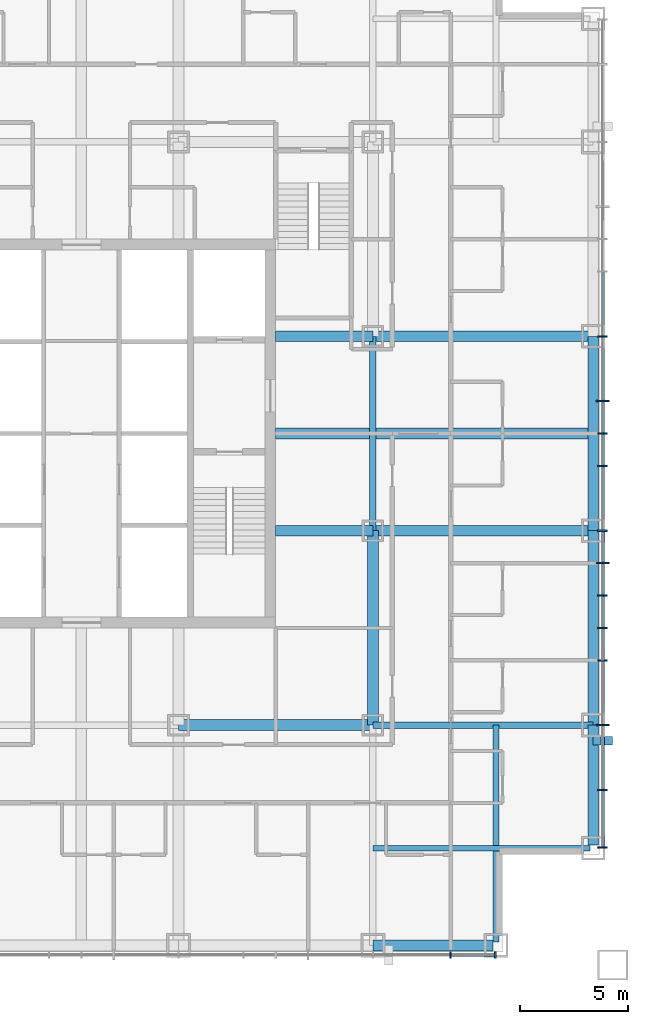
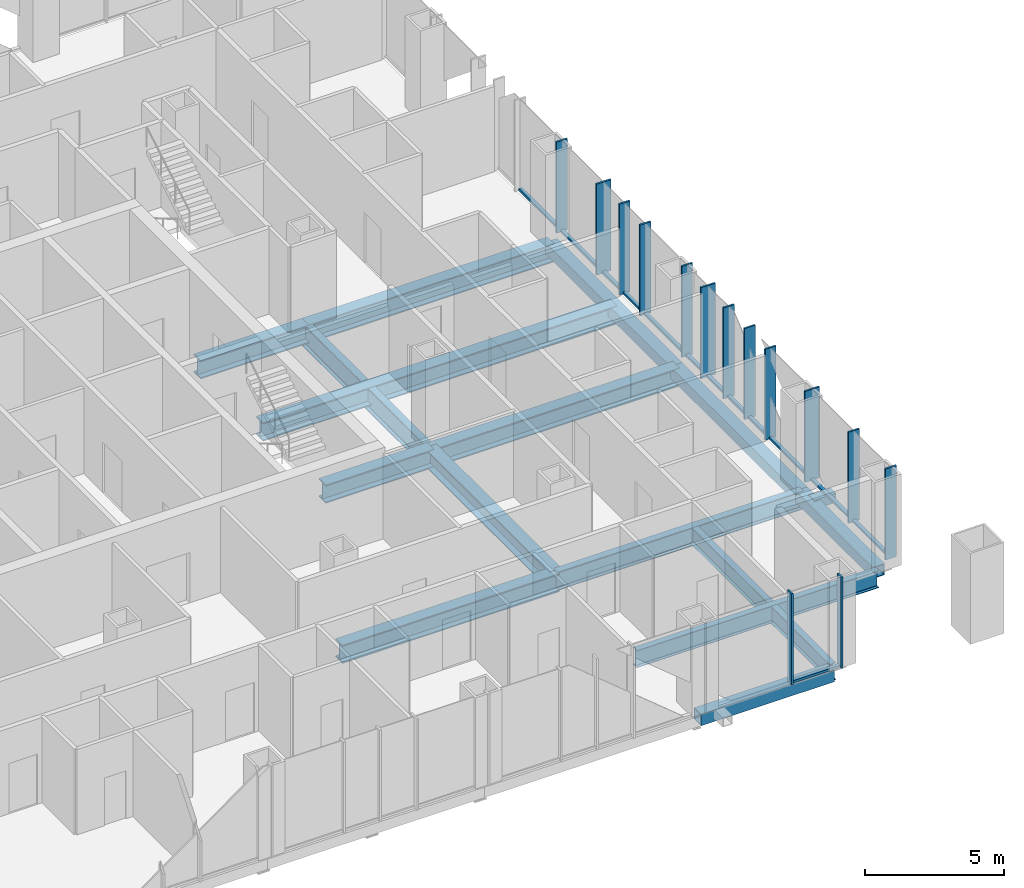
# One storey, part 4 of 16: 28 members, 15 beams, 2 elements without a shape of their own.
"""IFC4 building model written with IfcOpenShell, lengths in metres."""

from ifc_helpers import new_model, si_unit, direction, frame, origin, origin_2d, place, context, subcontext, project, spatial, rectangle, hollow_rectangle, i_section, extrude, material, layer, layer_set, material_profile, profile_set, type_object, element, aggregate, save


model = new_model("IFC4")

# Units and contexts
model_context = context("Model", 3, precision=1e-05, world=origin(), true_north=direction((0.0, 1.0)))
body_context = subcontext(model_context, "Body", "Model", "MODEL_VIEW")
ifc_project = project(units=[si_unit("LENGTHUNIT", "METRE"), si_unit("AREAUNIT", "SQUARE_METRE"), si_unit("VOLUMEUNIT", "CUBIC_METRE"), si_unit("PLANEANGLEUNIT", "RADIAN"), si_unit("MASSUNIT", "GRAM", prefix="KILO")], contexts=[model_context])

# Site, building, storey
site_placement = place(None, origin())
site = spatial("IfcSite", under=ifc_project, at=site_placement, CompositionType="ELEMENT")
building_placement = place(site_placement, origin())
building = spatial("IfcBuilding", under=site, at=building_placement, Name="Malebo Sky Hospital", CompositionType="ELEMENT")
storey_placement = place(building_placement, frame((0.0, 0.0, 108.0)))
storey = spatial("IfcBuildingStorey", under=building, at=storey_placement, Name="L25", CompositionType="ELEMENT", Elevation=108.0)

# Curtain wall, member
ifc_material_1 = material(Name="Anodised aluminium, natural silver", Category="aluminium")
ifc_layer_1 = layer(ifc_material_1, 0.25)
ifc_layer_set_1 = layer_set([ifc_layer_1], Name="WARD CURTAIN WALL NORTH AND SOUTH")
curtain_wall_type_1 = type_object("IfcCurtainWallType", Name="WARD CURTAIN WALL NORTH AND SOUTH", PredefinedType="NOTDEFINED", material=ifc_layer_set_1)
curtain_wall_1_placement = place(storey_placement, origin())
curtain_wall_1 = element("IfcCurtainWall", 1, at=curtain_wall_1_placement, inside=storey, type_object=curtain_wall_type_1, Name="NS curtain wall S", PredefinedType="NOTDEFINED")
ifc_material_profile_1 = material_profile(ifc_material_1, rectangle(XDim=0.14990234375, YDim=0.10009765625, at=origin_2d()), Name="ALUMINIUM TRANSOM 150x100")
ifc_profile_set_1 = profile_set([ifc_material_profile_1], Name="Anodised aluminium, natural silver")
member_type_1 = type_object("IfcMemberType", Name="ALUMINIUM TRANSOM 150x100", PredefinedType="USERDEFINED", material=ifc_profile_set_1)
member_1_placement = place(storey_placement, frame((79.125, 37.864990234375, 0.050048828125), z_axis=(-1.0, 0.0, 0.0), x_axis=(0.0, -1.0, 0.0)))
member_1 = element("IfcMember", 2, at=member_1_placement, type_object=member_type_1, Name="Transom 1", ObjectType="TRANSOM", PredefinedType="USERDEFINED", context=body_context, shape_type="SweptSolid", body=[
    extrude(rectangle(XDim=0.14990234375, YDim=0.10009765625, at=origin_2d()), origin(), (0.0, 0.0, 1.0), 1.987548828125),
])

# Curtain wall, members
ifc_layer_2 = layer(ifc_material_1, 0.25)
ifc_layer_set_2 = layer_set([ifc_layer_2], Name="WARD CURTAIN WALL EAST AND WEST")
curtain_wall_type_2 = type_object("IfcCurtainWallType", Name="WARD CURTAIN WALL EAST AND WEST", PredefinedType="NOTDEFINED", material=ifc_layer_set_2)
curtain_wall_2_placement = place(storey_placement, origin())
curtain_wall_2 = element("IfcCurtainWall", 3, at=curtain_wall_2_placement, inside=storey, type_object=curtain_wall_type_2, Name="EW curtain wall E", PredefinedType="NOTDEFINED")
member_2_placement = place(storey_placement, frame((84.135009765625, 69.46240234375, 0.050048828125), z_axis=(0.0, -1.0, 0.0), x_axis=(1.0, 0.0, 0.0)))
member_2 = element("IfcMember", 4, at=member_2_placement, type_object=member_type_1, Name="Transom 6", ObjectType="TRANSOM", PredefinedType="USERDEFINED", context=body_context, shape_type="SweptSolid", body=[
    extrude(rectangle(XDim=0.14990234375, YDim=0.10009765625, at=origin_2d()), origin(), (0.0, 0.0, 1.0), 2.9248046875),
])
member_3_placement = place(storey_placement, frame((84.135009765625, 66.46240234375, 0.050048828125), z_axis=(0.0, -1.0, 0.0), x_axis=(1.0, 0.0, 0.0)))
member_3 = element("IfcMember", 5, at=member_3_placement, type_object=member_type_1, Name="Transom 7", ObjectType="TRANSOM", PredefinedType="USERDEFINED", context=body_context, shape_type="SweptSolid", body=[
    extrude(rectangle(XDim=0.14990234375, YDim=0.10009765625, at=origin_2d()), origin(), (0.0, 0.0, 1.0), 2.9248046875),
])
member_4_placement = place(storey_placement, frame((84.135009765625, 63.46240234375, 0.050048828125), z_axis=(0.0, -1.0, 0.0), x_axis=(1.0, 0.0, 0.0)))
member_4 = element("IfcMember", 6, at=member_4_placement, type_object=member_type_1, Name="Transom 8", ObjectType="TRANSOM", PredefinedType="USERDEFINED", context=body_context, shape_type="SweptSolid", body=[
    extrude(rectangle(XDim=0.14990234375, YDim=0.10009765625, at=origin_2d()), origin(), (0.0, 0.0, 1.0), 1.4248046875),
])
member_5_placement = place(storey_placement, frame((84.135009765625, 61.96240234375, 0.050048828125), z_axis=(0.0, -1.0, 0.0), x_axis=(1.0, 0.0, 0.0)))
member_5 = element("IfcMember", 7, at=member_5_placement, type_object=member_type_1, Name="Transom 9", ObjectType="TRANSOM", PredefinedType="USERDEFINED", context=body_context, shape_type="SweptSolid", body=[
    extrude(rectangle(XDim=0.14990234375, YDim=0.10009765625, at=origin_2d()), origin(), (0.0, 0.0, 1.0), 1.4248046875),
])
member_6_placement = place(storey_placement, frame((84.135009765625, 60.46240234375, 0.050048828125), z_axis=(0.0, -1.0, 0.0), x_axis=(1.0, 0.0, 0.0)))
member_6 = element("IfcMember", 8, at=member_6_placement, type_object=member_type_1, Name="Transom 10", ObjectType="TRANSOM", PredefinedType="USERDEFINED", context=body_context, shape_type="SweptSolid", body=[
    extrude(rectangle(XDim=0.14990234375, YDim=0.10009765625, at=origin_2d()), origin(), (0.0, 0.0, 1.0), 2.9248046875),
])
member_7_placement = place(storey_placement, frame((84.135009765625, 57.46240234375, 0.050048828125), z_axis=(0.0, -1.0, 0.0), x_axis=(1.0, 0.0, 0.0)))
member_7 = element("IfcMember", 9, at=member_7_placement, type_object=member_type_1, Name="Transom 11", ObjectType="TRANSOM", PredefinedType="USERDEFINED", context=body_context, shape_type="SweptSolid", body=[
    extrude(rectangle(XDim=0.14990234375, YDim=0.10009765625, at=origin_2d()), origin(), (0.0, 0.0, 1.0), 1.4248046875),
])
member_8_placement = place(storey_placement, frame((84.135009765625, 55.96240234375, 0.050048828125), z_axis=(0.0, -1.0, 0.0), x_axis=(1.0, 0.0, 0.0)))
member_8 = element("IfcMember", 10, at=member_8_placement, type_object=member_type_1, Name="Transom 12", ObjectType="TRANSOM", PredefinedType="USERDEFINED", context=body_context, shape_type="SweptSolid", body=[
    extrude(rectangle(XDim=0.14990234375, YDim=0.10009765625, at=origin_2d()), origin(), (0.0, 0.0, 1.0), 1.4248046875),
])
member_9_placement = place(storey_placement, frame((84.135009765625, 54.46240234375, 0.050048828125), z_axis=(0.0, -1.0, 0.0), x_axis=(1.0, 0.0, 0.0)))
member_9 = element("IfcMember", 11, at=member_9_placement, type_object=member_type_1, Name="Transom 13", ObjectType="TRANSOM", PredefinedType="USERDEFINED", context=body_context, shape_type="SweptSolid", body=[
    extrude(rectangle(XDim=0.14990234375, YDim=0.10009765625, at=origin_2d()), origin(), (0.0, 0.0, 1.0), 1.4248046875),
])
member_10_placement = place(storey_placement, frame((84.135009765625, 52.96240234375, 0.050048828125), z_axis=(0.0, -1.0, 0.0), x_axis=(1.0, 0.0, 0.0)))
member_10 = element("IfcMember", 12, at=member_10_placement, type_object=member_type_1, Name="Transom 14", ObjectType="TRANSOM", PredefinedType="USERDEFINED", context=body_context, shape_type="SweptSolid", body=[
    extrude(rectangle(XDim=0.14990234375, YDim=0.10009765625, at=origin_2d()), origin(), (0.0, 0.0, 1.0), 1.4248046875),
])
member_11_placement = place(storey_placement, frame((84.135009765625, 51.46240234375, 0.050048828125), z_axis=(0.0, -1.0, 0.0), x_axis=(1.0, 0.0, 0.0)))
member_11 = element("IfcMember", 13, at=member_11_placement, type_object=member_type_1, Name="Transom 15", ObjectType="TRANSOM", PredefinedType="USERDEFINED", context=body_context, shape_type="SweptSolid", body=[
    extrude(rectangle(XDim=0.14990234375, YDim=0.10009765625, at=origin_2d()), origin(), (0.0, 0.0, 1.0), 2.9248046875),
])
member_12_placement = place(storey_placement, frame((84.135009765625, 48.46240234375, 0.050048828125), z_axis=(0.0, -1.0, 0.0), x_axis=(1.0, 0.0, 0.0)))
member_12 = element("IfcMember", 14, at=member_12_placement, type_object=member_type_1, Name="Transom 16", ObjectType="TRANSOM", PredefinedType="USERDEFINED", context=body_context, shape_type="SweptSolid", body=[
    extrude(rectangle(XDim=0.14990234375, YDim=0.10009765625, at=origin_2d()), origin(), (0.0, 0.0, 1.0), 2.9248046875),
])
member_13_placement = place(storey_placement, frame((84.135009765625, 45.46240234375, 0.050048828125), z_axis=(0.0, -1.0, 0.0), x_axis=(1.0, 0.0, 0.0)))
member_13 = element("IfcMember", 15, at=member_13_placement, type_object=member_type_1, Name="Transom 17", ObjectType="TRANSOM", PredefinedType="USERDEFINED", context=body_context, shape_type="SweptSolid", body=[
    extrude(rectangle(XDim=0.14990234375, YDim=0.10009765625, at=origin_2d()), origin(), (0.0, 0.0, 1.0), 2.58740234375),
])

# Member
ifc_material_2 = material(Name="Steel S355", Category="steel")
ifc_material_profile_2 = material_profile(ifc_material_2, hollow_rectangle(XDim=0.39990234375, YDim=0.39990234375, WallThickness=0.02001953125, at=origin_2d()), Name="SHS 400x20")
ifc_profile_set_2 = profile_set([ifc_material_profile_2], Name="Steel S355")
member_type_2 = type_object("IfcMemberType", Name="BRACE STRUT SHS 400x20", PredefinedType="STRUT", material=ifc_profile_set_2)
member_14_placement = place(storey_placement, frame((84.60009765625, 47.77392578125, -0.39990234375), z_axis=(-1.0, 0.0, 0.0), x_axis=(0.0, -1.0, 0.0)))
element("IfcMember", 16, at=member_14_placement, inside=storey, type_object=member_type_2, Name="Brace strut BE1 L25", PredefinedType="STRUT", context=body_context, shape_type="SweptSolid", body=[
    extrude(hollow_rectangle(XDim=0.39990234375, YDim=0.39990234375, WallThickness=0.02001953125, at=origin_2d()), origin(), (0.0, 0.0, 1.0), 0.900146484375),
])

ifc_material_profile_3 = material_profile(ifc_material_1, rectangle(XDim=0.074951171875, YDim=0.300048828125, at=origin_2d()), Name="CW1 ALUMINIUM FIN MULLION 75x300")
ifc_profile_set_3 = profile_set([ifc_material_profile_3], Name="Anodised aluminium, natural silver")
member_type_3 = type_object("IfcMemberType", Name="CW1 ALUMINIUM FIN MULLION 75x300", PredefinedType="MULLION", material=ifc_profile_set_3)
member_15_placement = place(storey_placement, frame((79.16259765625, 37.864990234375, 0.0), z_axis=(0.0, 0.0, 1.0), x_axis=(-1.0, 0.0, 0.0)))
member_15 = element("IfcMember", 17, at=member_15_placement, type_object=member_type_3, Name="Fin mullion 1", PredefinedType="MULLION", context=body_context, shape_type="SweptSolid", body=[
    extrude(rectangle(XDim=0.074951171875, YDim=0.300048828125, at=origin_2d()), origin(), (0.0, 0.0, 1.0), 4.0),
])

member_16_placement = place(storey_placement, frame((77.10009765625, 37.864990234375, 0.0), z_axis=(0.0, 0.0, 1.0), x_axis=(-1.0, 0.0, 0.0)))
member_16 = element("IfcMember", 18, at=member_16_placement, type_object=member_type_3, Name="Fin mullion 2", PredefinedType="MULLION", context=body_context, shape_type="SweptSolid", body=[
    extrude(rectangle(XDim=0.074951171875, YDim=0.300048828125, at=origin_2d()), origin(), (0.0, 0.0, 1.0), 4.0),
])

aggregate(curtain_wall_1, [member_15, member_16, member_1])

ifc_material_profile_4 = material_profile(ifc_material_1, rectangle(XDim=0.074951171875, YDim=0.449951171875, at=origin_2d()), Name="CW2 ALUMINIUM FIN MULLION 75x450")
ifc_profile_set_4 = profile_set([ifc_material_profile_4], Name="Anodised aluminium, natural silver")
member_type_4 = type_object("IfcMemberType", Name="CW2 ALUMINIUM FIN MULLION 75x450", PredefinedType="MULLION", material=ifc_profile_set_4)
member_17_placement = place(storey_placement, frame((84.135009765625, 66.5, 0.0), z_axis=(0.0, 0.0, 1.0), x_axis=(0.0, -1.0, 0.0)))
member_17 = element("IfcMember", 19, at=member_17_placement, type_object=member_type_4, Name="Fin mullion 7", PredefinedType="MULLION", context=body_context, shape_type="SweptSolid", body=[
    extrude(rectangle(XDim=0.074951171875, YDim=0.449951171875, at=origin_2d()), origin(), (0.0, 0.0, 1.0), 4.0),
])

member_18_placement = place(storey_placement, frame((84.135009765625, 62.0, 0.0), z_axis=(0.0, 0.0, 1.0), x_axis=(0.0, -1.0, 0.0)))
member_18 = element("IfcMember", 20, at=member_18_placement, type_object=member_type_4, Name="Fin mullion 9", PredefinedType="MULLION", context=body_context, shape_type="SweptSolid", body=[
    extrude(rectangle(XDim=0.074951171875, YDim=0.449951171875, at=origin_2d()), origin(), (0.0, 0.0, 1.0), 4.0),
])

member_19_placement = place(storey_placement, frame((84.135009765625, 60.5, 0.0), z_axis=(0.0, 0.0, 1.0), x_axis=(0.0, -1.0, 0.0)))
member_19 = element("IfcMember", 21, at=member_19_placement, type_object=member_type_4, Name="Fin mullion 10", PredefinedType="MULLION", context=body_context, shape_type="SweptSolid", body=[
    extrude(rectangle(XDim=0.074951171875, YDim=0.449951171875, at=origin_2d()), origin(), (0.0, 0.0, 1.0), 4.0),
])

member_20_placement = place(storey_placement, frame((84.135009765625, 57.5, 0.0), z_axis=(0.0, 0.0, 1.0), x_axis=(0.0, -1.0, 0.0)))
member_20 = element("IfcMember", 22, at=member_20_placement, type_object=member_type_4, Name="Fin mullion 11", PredefinedType="MULLION", context=body_context, shape_type="SweptSolid", body=[
    extrude(rectangle(XDim=0.074951171875, YDim=0.449951171875, at=origin_2d()), origin(), (0.0, 0.0, 1.0), 4.0),
])

member_21_placement = place(storey_placement, frame((84.135009765625, 54.5, 0.0), z_axis=(0.0, 0.0, 1.0), x_axis=(0.0, -1.0, 0.0)))
member_21 = element("IfcMember", 23, at=member_21_placement, type_object=member_type_4, Name="Fin mullion 13", PredefinedType="MULLION", context=body_context, shape_type="SweptSolid", body=[
    extrude(rectangle(XDim=0.074951171875, YDim=0.449951171875, at=origin_2d()), origin(), (0.0, 0.0, 1.0), 4.0),
])

member_22_placement = place(storey_placement, frame((84.135009765625, 53.0, 0.0), z_axis=(0.0, 0.0, 1.0), x_axis=(0.0, -1.0, 0.0)))
member_22 = element("IfcMember", 24, at=member_22_placement, type_object=member_type_4, Name="Fin mullion 14", PredefinedType="MULLION", context=body_context, shape_type="SweptSolid", body=[
    extrude(rectangle(XDim=0.074951171875, YDim=0.449951171875, at=origin_2d()), origin(), (0.0, 0.0, 1.0), 4.0),
])

member_23_placement = place(storey_placement, frame((84.135009765625, 51.5, 0.0), z_axis=(0.0, 0.0, 1.0), x_axis=(0.0, -1.0, 0.0)))
member_23 = element("IfcMember", 25, at=member_23_placement, type_object=member_type_4, Name="Fin mullion 15", PredefinedType="MULLION", context=body_context, shape_type="SweptSolid", body=[
    extrude(rectangle(XDim=0.074951171875, YDim=0.449951171875, at=origin_2d()), origin(), (0.0, 0.0, 1.0), 4.0),
])

member_24_placement = place(storey_placement, frame((84.135009765625, 45.5, 0.0), z_axis=(0.0, 0.0, 1.0), x_axis=(0.0, -1.0, 0.0)))
member_24 = element("IfcMember", 26, at=member_24_placement, type_object=member_type_4, Name="Fin mullion 17", PredefinedType="MULLION", context=body_context, shape_type="SweptSolid", body=[
    extrude(rectangle(XDim=0.074951171875, YDim=0.449951171875, at=origin_2d()), origin(), (0.0, 0.0, 1.0), 4.0),
])

member_25_placement = place(storey_placement, frame((84.135009765625, 42.83740234375, 0.0), z_axis=(0.0, 0.0, 1.0), x_axis=(0.0, -1.0, 0.0)))
member_25 = element("IfcMember", 27, at=member_25_placement, type_object=member_type_4, Name="Fin mullion 18", PredefinedType="MULLION", context=body_context, shape_type="SweptSolid", body=[
    extrude(rectangle(XDim=0.074951171875, YDim=0.449951171875, at=origin_2d()), origin(), (0.0, 0.0, 1.0), 4.0),
])

ifc_material_profile_5 = material_profile(ifc_material_1, rectangle(XDim=0.074951171875, YDim=0.60009765625, at=origin_2d()), Name="CW2 ALUMINIUM FIN MULLION 75x600")
ifc_profile_set_5 = profile_set([ifc_material_profile_5], Name="Anodised aluminium, natural silver")
member_type_5 = type_object("IfcMemberType", Name="CW2 ALUMINIUM FIN MULLION 75x600", PredefinedType="MULLION", material=ifc_profile_set_5)
member_26_placement = place(storey_placement, frame((84.135009765625, 63.5, 0.0), z_axis=(0.0, 0.0, 1.0), x_axis=(0.0, -1.0, 0.0)))
member_26 = element("IfcMember", 28, at=member_26_placement, type_object=member_type_5, Name="Fin mullion 8", PredefinedType="MULLION", context=body_context, shape_type="SweptSolid", body=[
    extrude(rectangle(XDim=0.074951171875, YDim=0.60009765625, at=origin_2d()), origin(), (0.0, 0.0, 1.0), 4.0),
])

member_27_placement = place(storey_placement, frame((84.135009765625, 56.0, 0.0), z_axis=(0.0, 0.0, 1.0), x_axis=(0.0, -1.0, 0.0)))
member_27 = element("IfcMember", 29, at=member_27_placement, type_object=member_type_5, Name="Fin mullion 12", PredefinedType="MULLION", context=body_context, shape_type="SweptSolid", body=[
    extrude(rectangle(XDim=0.074951171875, YDim=0.60009765625, at=origin_2d()), origin(), (0.0, 0.0, 1.0), 4.0),
])

member_28_placement = place(storey_placement, frame((84.135009765625, 48.5, 0.0), z_axis=(0.0, 0.0, 1.0), x_axis=(0.0, -1.0, 0.0)))
member_28 = element("IfcMember", 30, at=member_28_placement, type_object=member_type_5, Name="Fin mullion 16", PredefinedType="MULLION", context=body_context, shape_type="SweptSolid", body=[
    extrude(rectangle(XDim=0.074951171875, YDim=0.60009765625, at=origin_2d()), origin(), (0.0, 0.0, 1.0), 4.0),
])

aggregate(curtain_wall_2, [member_17, member_26, member_18, member_19, member_20, member_27, member_21, member_22, member_23, member_28, member_24, member_25, member_2, member_3, member_4, member_5, member_6, member_7, member_8, member_9, member_10, member_11, member_12, member_13])

# Beams
ifc_material_3 = material(Name="Steel S460", Category="steel")
ifc_material_profile_6 = material_profile(ifc_material_3, hollow_rectangle(XDim=0.5, YDim=0.5, WallThickness=0.030029296875, at=origin_2d()), Name="BOX 500x500x30")
ifc_profile_set_6 = profile_set([ifc_material_profile_6], Name="Steel S460")
beam_type_1 = type_object("IfcBeamType", Name="EDGE BEAM BOX 500x500x30", PredefinedType="BEAM", material=ifc_profile_set_6)
beam_1_placement = place(storey_placement, frame((83.699951171875, 42.949951171875, -0.5), z_axis=(0.0, 1.0, 0.0), x_axis=(-1.0, 0.0, 0.0)))
element("IfcBeam", 31, at=beam_1_placement, inside=storey, type_object=beam_type_1, Name="Beam 029 L25", PredefinedType="BEAM", context=body_context, shape_type="SweptSolid", body=[
    extrude(hollow_rectangle(XDim=0.5, YDim=0.5, WallThickness=0.030029296875, at=origin_2d()), origin(), (0.0, 0.0, 1.0), 5.550048828125),
])
for number, where, z_axis, x_axis, name in (
    (32, (83.699951171875, 48.5, -0.5), (0.0, 1.0, 0.0), (-1.0, 0.0, 0.0), "Beam 030 L25"),
    (33, (83.699951171875, 57.5, -0.5), (0.0, 1.0, 0.0), (-1.0, 0.0, 0.0), "Beam 031 L25"),
):
    element("IfcBeam", number, at=place(storey_placement, frame(where, z_axis=z_axis, x_axis=x_axis)), inside=storey, type_object=beam_type_1, Name=name, PredefinedType="BEAM", context=body_context, shape_type="SweptSolid", body=[
        extrude(hollow_rectangle(XDim=0.5, YDim=0.5, WallThickness=0.030029296875, at=origin_2d()), origin(), (0.0, 0.0, 1.0), 9.0),
    ])
beam_2_placement = place(storey_placement, frame((73.5, 38.300048828125, -0.5), z_axis=(1.0, 0.0, 0.0), x_axis=(0.0, 1.0, 0.0)))
element("IfcBeam", 34, at=beam_2_placement, inside=storey, type_object=beam_type_1, Name="Beam 038 L25", PredefinedType="BEAM", context=body_context, shape_type="SweptSolid", body=[
    extrude(hollow_rectangle(XDim=0.5, YDim=0.5, WallThickness=0.030029296875, at=origin_2d()), origin(), (0.0, 0.0, 1.0), 5.550048828125),
])
ifc_material_profile_7 = material_profile(ifc_material_2, i_section(OverallWidth=0.262939453125, OverallDepth=0.7529296875, WebThickness=0.011474609375, FlangeThickness=0.01708984375, FilletRadius=0.01708984375, at=origin_2d()), Name="IPE 750x137")
ifc_profile_set_7 = profile_set([ifc_material_profile_7], Name="Steel S355")
beam_type_2 = type_object("IfcBeamType", Name="FLOOR BEAM IPE 750x137", PredefinedType="BEAM", material=ifc_profile_set_7)
for number, where, z_axis, x_axis, name in (
    (35, (79.199951171875, 38.449951171875, -0.62646484375), (0.0, 1.0, 0.0), (-1.0, 0.0, 0.0), "Beam 027 L25"),
    (36, (73.5, 42.800048828125, -0.62646484375), (1.0, 0.0, 0.0), (0.0, 1.0, 0.0), "Beam 040 L25"),
):
    element("IfcBeam", number, at=place(storey_placement, frame(where, z_axis=z_axis, x_axis=x_axis)), inside=storey, type_object=beam_type_2, Name=name, PredefinedType="BEAM", context=body_context, shape_type="SweptSolid", body=[
        extrude(i_section(OverallWidth=0.262939453125, OverallDepth=0.7529296875, WebThickness=0.011474609375, FlangeThickness=0.01708984375, FilletRadius=0.01708984375, at=origin_2d()), origin(), (0.0, 0.0, 1.0), 10.050048828125),
    ])
ifc_material_profile_8 = material_profile(ifc_material_2, i_section(OverallWidth=0.5, OverallDepth=0.800048828125, WebThickness=0.030029296875, FlangeThickness=0.050048828125, at=origin_2d()), Name="PG 800x500x30x50")
ifc_profile_set_8 = profile_set([ifc_material_profile_8], Name="Steel S355")
beam_type_3 = type_object("IfcBeamType", Name="FLOOR BEAM PG 800x500x30x50", PredefinedType="BEAM", material=ifc_profile_set_8)
for number, where, z_axis, x_axis, name in (
    (37, (73.5, 48.5, -0.64990234375), (0.0, 1.0, 0.0), (-1.0, 0.0, 0.0), "Beam 023 L25"),
    (38, (64.5, 48.5, -0.64990234375), (1.0, 0.0, 0.0), (0.0, 1.0, 0.0), "Beam 044 L25"),
):
    element("IfcBeam", number, at=place(storey_placement, frame(where, z_axis=z_axis, x_axis=x_axis)), inside=storey, type_object=beam_type_3, Name=name, PredefinedType="BEAM", context=body_context, shape_type="SweptSolid", body=[
        extrude(i_section(OverallWidth=0.5, OverallDepth=0.800048828125, WebThickness=0.030029296875, FlangeThickness=0.050048828125, at=origin_2d()), origin(), (0.0, 0.0, 1.0), 9.0),
    ])
beam_3_placement = place(storey_placement, frame((69.0, 57.5, -0.64990234375), z_axis=(1.0, 0.0, 0.0), x_axis=(0.0, 1.0, 0.0)))
element("IfcBeam", 39, at=beam_3_placement, inside=storey, type_object=beam_type_3, Name="Beam 048 L25", PredefinedType="BEAM", context=body_context, shape_type="SweptSolid", body=[
    extrude(i_section(OverallWidth=0.5, OverallDepth=0.800048828125, WebThickness=0.030029296875, FlangeThickness=0.050048828125, at=origin_2d()), origin(), (0.0, 0.0, 1.0), 4.5),
])
beam_4_placement = place(storey_placement, frame((73.5, 57.5, -0.64990234375), z_axis=(1.0, 0.0, 0.0), x_axis=(0.0, 1.0, 0.0)))
element("IfcBeam", 40, at=beam_4_placement, inside=storey, type_object=beam_type_3, Name="Beam 049 L25", PredefinedType="BEAM", context=body_context, shape_type="SweptSolid", body=[
    extrude(i_section(OverallWidth=0.5, OverallDepth=0.800048828125, WebThickness=0.030029296875, FlangeThickness=0.050048828125, at=origin_2d()), origin(), (0.0, 0.0, 1.0), 10.199951171875),
])
beam_5_placement = place(storey_placement, frame((69.0, 62.0, -0.64990234375), z_axis=(1.0, 0.0, 0.0), x_axis=(0.0, 1.0, 0.0)))
element("IfcBeam", 41, at=beam_5_placement, inside=storey, type_object=beam_type_3, Name="Beam 051 L25", PredefinedType="BEAM", context=body_context, shape_type="SweptSolid", body=[
    extrude(i_section(OverallWidth=0.5, OverallDepth=0.800048828125, WebThickness=0.030029296875, FlangeThickness=0.050048828125, at=origin_2d()), origin(), (0.0, 0.0, 1.0), 14.699951171875),
])
beam_6_placement = place(storey_placement, frame((69.0, 66.5, -0.64990234375), z_axis=(1.0, 0.0, 0.0), x_axis=(0.0, 1.0, 0.0)))
element("IfcBeam", 42, at=beam_6_placement, inside=storey, type_object=beam_type_3, Name="Beam 054 L25", PredefinedType="BEAM", context=body_context, shape_type="SweptSolid", body=[
    extrude(i_section(OverallWidth=0.5, OverallDepth=0.800048828125, WebThickness=0.030029296875, FlangeThickness=0.050048828125, at=origin_2d()), origin(), (0.0, 0.0, 1.0), 4.5),
])
beam_7_placement = place(storey_placement, frame((73.5, 66.5, -0.64990234375), z_axis=(1.0, 0.0, 0.0), x_axis=(0.0, 1.0, 0.0)))
element("IfcBeam", 43, at=beam_7_placement, inside=storey, type_object=beam_type_3, Name="Beam 055 L25", PredefinedType="BEAM", context=body_context, shape_type="SweptSolid", body=[
    extrude(i_section(OverallWidth=0.5, OverallDepth=0.800048828125, WebThickness=0.030029296875, FlangeThickness=0.050048828125, at=origin_2d()), origin(), (0.0, 0.0, 1.0), 10.199951171875),
])
ifc_material_profile_9 = material_profile(ifc_material_2, i_section(OverallWidth=0.300048828125, OverallDepth=0.800048828125, WebThickness=0.017578125, FlangeThickness=0.032958984375, FilletRadius=0.030029296875, at=origin_2d()), Name="HEB 800")
ifc_profile_set_9 = profile_set([ifc_material_profile_9], Name="Steel S355")
beam_type_4 = type_object("IfcBeamType", Name="FLOOR GIRDER HEB 800", PredefinedType="BEAM", material=ifc_profile_set_9)
beam_8_placement = place(storey_placement, frame((73.5, 48.5, -0.64990234375), z_axis=(1.0, 0.0, 0.0), x_axis=(0.0, 1.0, 0.0)))
element("IfcBeam", 44, at=beam_8_placement, inside=storey, type_object=beam_type_4, Name="Beam 045 L25", PredefinedType="BEAM", context=body_context, shape_type="SweptSolid", body=[
    extrude(i_section(OverallWidth=0.300048828125, OverallDepth=0.800048828125, WebThickness=0.017578125, FlangeThickness=0.032958984375, FilletRadius=0.030029296875, at=origin_2d()), origin(), (0.0, 0.0, 1.0), 10.199951171875),
])
ifc_material_profile_10 = material_profile(ifc_material_2, i_section(OverallWidth=0.300048828125, OverallDepth=1.0, WebThickness=0.01904296875, FlangeThickness=0.035888671875, FilletRadius=0.030029296875, at=origin_2d()), Name="HEB 1000")
ifc_profile_set_10 = profile_set([ifc_material_profile_10], Name="Steel S355")
beam_type_5 = type_object("IfcBeamType", Name="RING GIRDER HEB 1000", PredefinedType="BEAM", material=ifc_profile_set_10)
beam_9_placement = place(storey_placement, frame((73.5, 57.5, -0.75), z_axis=(0.0, 1.0, 0.0), x_axis=(-1.0, 0.0, 0.0)))
element("IfcBeam", 45, at=beam_9_placement, inside=storey, type_object=beam_type_5, Name="Beam 024 L25", PredefinedType="BEAM", context=body_context, shape_type="SweptSolid", body=[
    extrude(i_section(OverallWidth=0.300048828125, OverallDepth=1.0, WebThickness=0.01904296875, FlangeThickness=0.035888671875, FilletRadius=0.030029296875, at=origin_2d()), origin(), (0.0, 0.0, 1.0), 9.0),
])

save(model, "model.ifc")
